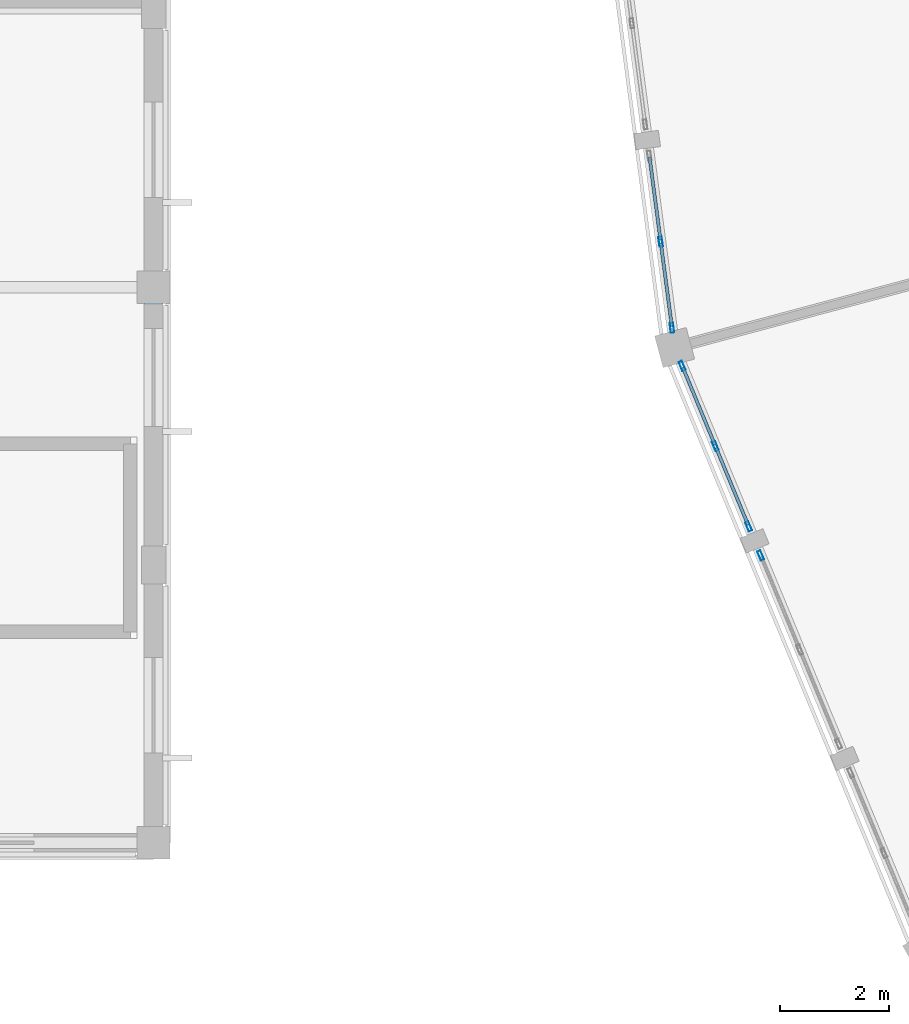
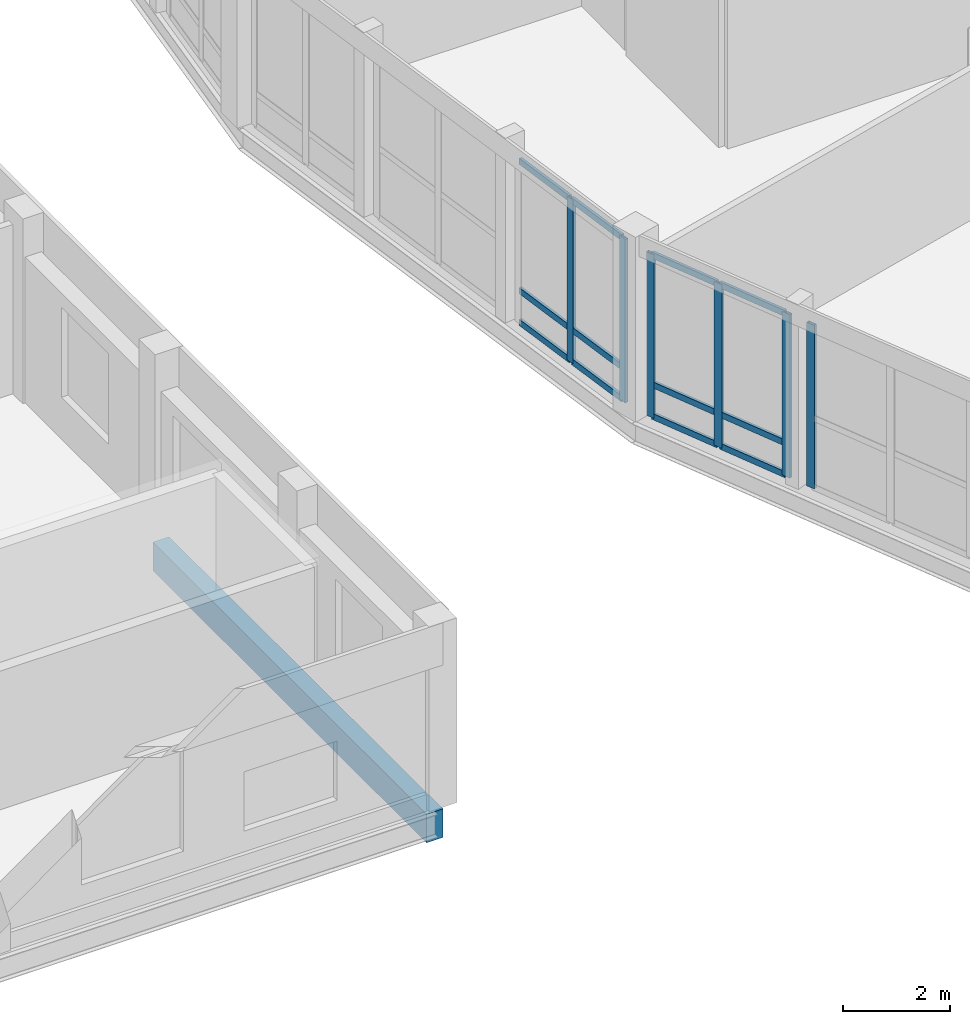
# One storey, part 39 of 185: 18 members, 1 beam, 3 elements without a shape of their own.
"""IFC4 building model written with IfcOpenShell, lengths in metres."""

from ifc_helpers import new_model, si_unit, direction, frame, origin, origin_2d, place, context, subcontext, project, spatial, rectangle, hollow_rectangle, extrude, material, material_profile, profile_set, type_object, element, aggregate, save


model = new_model("IFC4")

# Units and contexts
model_context = context("Model", 3, precision=1e-05, world=origin(), true_north=direction((0.0, 1.0)))
body_context = subcontext(model_context, "Body", "Model", "MODEL_VIEW")
ifc_project = project(units=[si_unit("LENGTHUNIT", "METRE"), si_unit("AREAUNIT", "SQUARE_METRE"), si_unit("VOLUMEUNIT", "CUBIC_METRE"), si_unit("PLANEANGLEUNIT", "RADIAN"), si_unit("MASSUNIT", "GRAM", prefix="KILO")], contexts=[model_context])

# Site, building, storey
site_placement = place(None, origin())
site = spatial("IfcSite", under=ifc_project, at=site_placement, CompositionType="ELEMENT")
building_placement = place(site_placement, origin())
building = spatial("IfcBuilding", under=site, at=building_placement, Name="Vondelvale Polytechnic", CompositionType="ELEMENT")
storey_placement = place(building_placement, frame((0.0, 0.0, 9.60009765625)))
storey = spatial("IfcBuildingStorey", under=building, at=storey_placement, Name="L02", CompositionType="ELEMENT", Elevation=9.60009765625)

# Curtain wall, members
ifc_material_1 = material(Name="Glulam GL18 structural Tasmanian oak (fb = 42 MPa)", Category="wood")
curtain_wall_type = type_object("IfcCurtainWallType", Name="CW-RING-OUTER", PredefinedType="NOTDEFINED", material=ifc_material_1)
curtain_wall_1_placement = place(storey_placement, origin())
curtain_wall_1 = element("IfcCurtainWall", 1, at=curtain_wall_1_placement, inside=storey, type_object=curtain_wall_type, Name="L02 architectural curtain wall CW-04-266", PredefinedType="NOTDEFINED")
ifc_material_2 = material(Name="Anodised extruded aluminium 6063-T6", Category="aluminium")
ifc_material_profile_1 = material_profile(ifc_material_2, hollow_rectangle(XDim=0.06494140625, YDim=0.179931640625, WallThickness=0.00390625, at=origin_2d()), Name="CW-MUL-180x65")
ifc_profile_set_1 = profile_set([ifc_material_profile_1], Name="Anodised extruded aluminium 6063-T6")
member_type_1 = type_object("IfcMemberType", Name="CW-MUL-65x180", PredefinedType="MULLION", material=ifc_profile_set_1)
member_1_placement = place(storey_placement, frame((57.3115234375, 62.037841796875, 0.0), z_axis=(0.0, 0.0, 1.0), x_axis=(0.991443102996, 0.130539547729, 0.0)))
member_1 = element("IfcMember", 2, at=member_1_placement, type_object=member_type_1, Name="CW-04-266 mullion 2", PredefinedType="MULLION", context=body_context, shape_type="SweptSolid", body=[
    extrude(hollow_rectangle(XDim=0.06494140625, YDim=0.179931640625, WallThickness=0.00390625, at=origin_2d()), origin(), (0.0, 0.0, 1.0), 3.719970703125),
])
member_2_placement = place(storey_placement, frame((57.519775390625, 60.45654296875, 0.0), z_axis=(0.0, 0.0, 1.0), x_axis=(0.991443102996, 0.130539547729, 0.0)))
member_2 = element("IfcMember", 3, at=member_2_placement, type_object=member_type_1, Name="CW-04-266 mullion 3", PredefinedType="MULLION", context=body_context, shape_type="SweptSolid", body=[
    extrude(hollow_rectangle(XDim=0.06494140625, YDim=0.179931640625, WallThickness=0.00390625, at=origin_2d()), origin(), (0.0, 0.0, 1.0), 3.719970703125),
])

curtain_wall_2_placement = place(storey_placement, origin())
curtain_wall_2 = element("IfcCurtainWall", 4, at=curtain_wall_2_placement, inside=storey, type_object=curtain_wall_type, Name="L02 architectural curtain wall CW-04-284", PredefinedType="NOTDEFINED")
member_3_placement = place(storey_placement, frame((57.70703125, 59.7568359375, 0.0), z_axis=(0.0, 0.0, 1.0), x_axis=(0.923882033442, 0.382677394529, 0.0)))
member_3 = element("IfcMember", 5, at=member_3_placement, type_object=member_type_1, Name="CW-04-284 mullion 1", PredefinedType="MULLION", context=body_context, shape_type="SweptSolid", body=[
    extrude(hollow_rectangle(XDim=0.06494140625, YDim=0.179931640625, WallThickness=0.00390625, at=origin_2d()), origin(), (0.0, 0.0, 1.0), 3.719970703125),
])
member_4_placement = place(storey_placement, frame((58.3173828125, 58.283203125, 0.0), z_axis=(0.0, 0.0, 1.0), x_axis=(0.923882033442, 0.382677394529, 0.0)))
member_4 = element("IfcMember", 6, at=member_4_placement, type_object=member_type_1, Name="CW-04-284 mullion 2", PredefinedType="MULLION", context=body_context, shape_type="SweptSolid", body=[
    extrude(hollow_rectangle(XDim=0.06494140625, YDim=0.179931640625, WallThickness=0.00390625, at=origin_2d()), origin(), (0.0, 0.0, 1.0), 3.719970703125),
])
member_5_placement = place(storey_placement, frame((58.927978515625, 56.809814453125, 0.0), z_axis=(0.0, 0.0, 1.0), x_axis=(0.923882033442, 0.382677394529, 0.0)))
member_5 = element("IfcMember", 7, at=member_5_placement, type_object=member_type_1, Name="CW-04-284 mullion 3", PredefinedType="MULLION", context=body_context, shape_type="SweptSolid", body=[
    extrude(hollow_rectangle(XDim=0.06494140625, YDim=0.179931640625, WallThickness=0.00390625, at=origin_2d()), origin(), (0.0, 0.0, 1.0), 3.719970703125),
])

# Curtain wall, member
curtain_wall_3_placement = place(storey_placement, origin())
curtain_wall_3 = element("IfcCurtainWall", 8, at=curtain_wall_3_placement, inside=storey, type_object=curtain_wall_type, Name="L02 architectural curtain wall CW-04-285", PredefinedType="NOTDEFINED")
member_6_placement = place(storey_placement, frame((59.14794921875, 56.278564453125, 0.0), z_axis=(0.0, 0.0, 1.0), x_axis=(0.92387490701, 0.382694599123, 0.0)))
member_6 = element("IfcMember", 9, at=member_6_placement, type_object=member_type_1, Name="CW-04-285 mullion 1", PredefinedType="MULLION", context=body_context, shape_type="SweptSolid", body=[
    extrude(hollow_rectangle(XDim=0.06494140625, YDim=0.179931640625, WallThickness=0.00390625, at=origin_2d()), origin(), (0.0, 0.0, 1.0), 3.719970703125),
])
aggregate(curtain_wall_3, [member_6])

# Member
ifc_material_profile_2 = material_profile(ifc_material_2, hollow_rectangle(XDim=0.06005859375, YDim=0.139892578125, WallThickness=0.00341796875, at=origin_2d()), Name="CW-TRN-140x60")
ifc_profile_set_2 = profile_set([ifc_material_profile_2], Name="Anodised extruded aluminium 6063-T6")
member_type_2 = type_object("IfcMemberType", Name="CW-TRN-60x140", PredefinedType="USERDEFINED", material=ifc_profile_set_2)
member_7_placement = place(storey_placement, frame((57.107666015625, 63.5869140625, 0.02978515625), z_axis=(0.130532942165, -0.991443972703, 0.0), x_axis=(0.991443972703, 0.130532942165, 0.0)))
member_7 = element("IfcMember", 10, at=member_7_placement, type_object=member_type_2, Name="CW-04-266 transom 1.1", ObjectType="TRANSOM", PredefinedType="USERDEFINED", context=body_context, shape_type="SweptSolid", body=[
    extrude(hollow_rectangle(XDim=0.06005859375, YDim=0.139892578125, WallThickness=0.00341796875, at=origin_2d()), origin(), (0.0, 0.0, 1.0), 1.530029296875),
])

member_8_placement = place(storey_placement, frame((57.107666015625, 63.5869140625, 0.75), z_axis=(0.130532942165, -0.991443972703, 0.0), x_axis=(0.991443972703, 0.130532942165, 0.0)))
member_8 = element("IfcMember", 11, at=member_8_placement, type_object=member_type_2, Name="CW-04-266 transom 1.2", ObjectType="TRANSOM", PredefinedType="USERDEFINED", context=body_context, shape_type="SweptSolid", body=[
    extrude(hollow_rectangle(XDim=0.06005859375, YDim=0.139892578125, WallThickness=0.00341796875, at=origin_2d()), origin(), (0.0, 0.0, 1.0), 1.530029296875),
])

member_9_placement = place(storey_placement, frame((57.107666015625, 63.5869140625, 3.68994140625), z_axis=(0.130532942165, -0.991443972703, 0.0), x_axis=(0.991443972703, 0.130532942165, 0.0)))
member_9 = element("IfcMember", 12, at=member_9_placement, type_object=member_type_2, Name="CW-04-266 transom 1.3", ObjectType="TRANSOM", PredefinedType="USERDEFINED", context=body_context, shape_type="SweptSolid", body=[
    extrude(hollow_rectangle(XDim=0.06005859375, YDim=0.139892578125, WallThickness=0.00341796875, at=origin_2d()), origin(), (0.0, 0.0, 1.0), 1.530029296875),
])

member_10_placement = place(storey_placement, frame((57.315673828125, 62.005615234375, 0.02978515625), z_axis=(0.13066912162, -0.99142603388, 0.0), x_axis=(0.99142603388, 0.13066912162, 0.0)))
member_10 = element("IfcMember", 13, at=member_10_placement, type_object=member_type_2, Name="CW-04-266 transom 2.1", ObjectType="TRANSOM", PredefinedType="USERDEFINED", context=body_context, shape_type="SweptSolid", body=[
    extrude(hollow_rectangle(XDim=0.06005859375, YDim=0.139892578125, WallThickness=0.00341796875, at=origin_2d()), origin(), (0.0, 0.0, 1.0), 1.5302734375),
])

member_11_placement = place(storey_placement, frame((57.315673828125, 62.005615234375, 0.75), z_axis=(0.13066912162, -0.99142603388, 0.0), x_axis=(0.99142603388, 0.13066912162, 0.0)))
member_11 = element("IfcMember", 14, at=member_11_placement, type_object=member_type_2, Name="CW-04-266 transom 2.2", ObjectType="TRANSOM", PredefinedType="USERDEFINED", context=body_context, shape_type="SweptSolid", body=[
    extrude(hollow_rectangle(XDim=0.06005859375, YDim=0.139892578125, WallThickness=0.00341796875, at=origin_2d()), origin(), (0.0, 0.0, 1.0), 1.5302734375),
])

member_12_placement = place(storey_placement, frame((57.315673828125, 62.005615234375, 3.68994140625), z_axis=(0.13066912162, -0.99142603388, 0.0), x_axis=(0.99142603388, 0.13066912162, 0.0)))
member_12 = element("IfcMember", 15, at=member_12_placement, type_object=member_type_2, Name="CW-04-266 transom 2.3", ObjectType="TRANSOM", PredefinedType="USERDEFINED", context=body_context, shape_type="SweptSolid", body=[
    extrude(hollow_rectangle(XDim=0.06005859375, YDim=0.139892578125, WallThickness=0.00341796875, at=origin_2d()), origin(), (0.0, 0.0, 1.0), 1.5302734375),
])

aggregate(curtain_wall_1, [member_1, member_2, member_7, member_8, member_9, member_10, member_11, member_12])

member_13_placement = place(storey_placement, frame((57.719482421875, 59.726806640625, 0.02978515625), z_axis=(0.382779237206, -0.923839843027, 0.0), x_axis=(0.923839843027, 0.382779237206, 0.0)))
member_13 = element("IfcMember", 16, at=member_13_placement, type_object=member_type_2, Name="CW-04-284 transom 1.1", ObjectType="TRANSOM", PredefinedType="USERDEFINED", context=body_context, shape_type="SweptSolid", body=[
    extrude(hollow_rectangle(XDim=0.06005859375, YDim=0.139892578125, WallThickness=0.00341796875, at=origin_2d()), origin(), (0.0, 0.0, 1.0), 1.530029296875),
])

member_14_placement = place(storey_placement, frame((57.719482421875, 59.726806640625, 0.75), z_axis=(0.382779237206, -0.923839843027, 0.0), x_axis=(0.923839843027, 0.382779237206, 0.0)))
member_14 = element("IfcMember", 17, at=member_14_placement, type_object=member_type_2, Name="CW-04-284 transom 1.2", ObjectType="TRANSOM", PredefinedType="USERDEFINED", context=body_context, shape_type="SweptSolid", body=[
    extrude(hollow_rectangle(XDim=0.06005859375, YDim=0.139892578125, WallThickness=0.00341796875, at=origin_2d()), origin(), (0.0, 0.0, 1.0), 1.530029296875),
])

member_15_placement = place(storey_placement, frame((57.719482421875, 59.726806640625, 3.68994140625), z_axis=(0.382779237206, -0.923839843027, 0.0), x_axis=(0.923839843027, 0.382779237206, 0.0)))
member_15 = element("IfcMember", 18, at=member_15_placement, type_object=member_type_2, Name="CW-04-284 transom 1.3", ObjectType="TRANSOM", PredefinedType="USERDEFINED", context=body_context, shape_type="SweptSolid", body=[
    extrude(hollow_rectangle(XDim=0.06005859375, YDim=0.139892578125, WallThickness=0.00341796875, at=origin_2d()), origin(), (0.0, 0.0, 1.0), 1.530029296875),
])

member_16_placement = place(storey_placement, frame((58.329833984375, 58.253173828125, 0.02978515625), z_axis=(0.382835668721, -0.923816459452, 0.0), x_axis=(0.923816459452, 0.382835668721, 0.0)))
member_16 = element("IfcMember", 19, at=member_16_placement, type_object=member_type_2, Name="CW-04-284 transom 2.1", ObjectType="TRANSOM", PredefinedType="USERDEFINED", context=body_context, shape_type="SweptSolid", body=[
    extrude(hollow_rectangle(XDim=0.06005859375, YDim=0.139892578125, WallThickness=0.00341796875, at=origin_2d()), origin(), (0.0, 0.0, 1.0), 1.52978515625),
])

member_17_placement = place(storey_placement, frame((58.329833984375, 58.253173828125, 0.75), z_axis=(0.382835668721, -0.923816459452, 0.0), x_axis=(0.923816459452, 0.382835668721, 0.0)))
member_17 = element("IfcMember", 20, at=member_17_placement, type_object=member_type_2, Name="CW-04-284 transom 2.2", ObjectType="TRANSOM", PredefinedType="USERDEFINED", context=body_context, shape_type="SweptSolid", body=[
    extrude(hollow_rectangle(XDim=0.06005859375, YDim=0.139892578125, WallThickness=0.00341796875, at=origin_2d()), origin(), (0.0, 0.0, 1.0), 1.52978515625),
])

member_18_placement = place(storey_placement, frame((58.329833984375, 58.253173828125, 3.68994140625), z_axis=(0.382835668721, -0.923816459452, 0.0), x_axis=(0.923816459452, 0.382835668721, 0.0)))
member_18 = element("IfcMember", 21, at=member_18_placement, type_object=member_type_2, Name="CW-04-284 transom 2.3", ObjectType="TRANSOM", PredefinedType="USERDEFINED", context=body_context, shape_type="SweptSolid", body=[
    extrude(hollow_rectangle(XDim=0.06005859375, YDim=0.139892578125, WallThickness=0.00341796875, at=origin_2d()), origin(), (0.0, 0.0, 1.0), 1.52978515625),
])

aggregate(curtain_wall_2, [member_3, member_4, member_5, member_13, member_14, member_15, member_16, member_17, member_18])

# Beam
ifc_material_3 = material(Name="Precast concrete N40 (f'c = 40 MPa)", Category="concrete")
ifc_material_profile_3 = material_profile(ifc_material_3, rectangle(XDim=0.35009765625, YDim=0.64990234375, at=origin_2d()), Name="RC-SPN-350x650")
ifc_profile_set_3 = profile_set([ifc_material_profile_3], Name="Precast concrete N40 (f'c = 40 MPa)")
beam_type = type_object("IfcBeamType", Name="SPN-PRE350x650", PredefinedType="SPANDREL", material=ifc_profile_set_3)
beam_placement = place(storey_placement, frame((48.0, 51.0, -0.60498046875), z_axis=(0.0, 1.0, 0.0), x_axis=(-1.0, 0.0, 0.0)))
element("IfcBeam", 22, at=beam_placement, inside=storey, type_object=beam_type, Name="L02 B SP-02", PredefinedType="SPANDREL", context=body_context, shape_type="SweptSolid", body=[
    extrude(rectangle(XDim=0.35009765625, YDim=0.64990234375, at=origin_2d()), origin(), (0.0, 0.0, 1.0), 10.199951171875),
])

save(model, "model.ifc")
